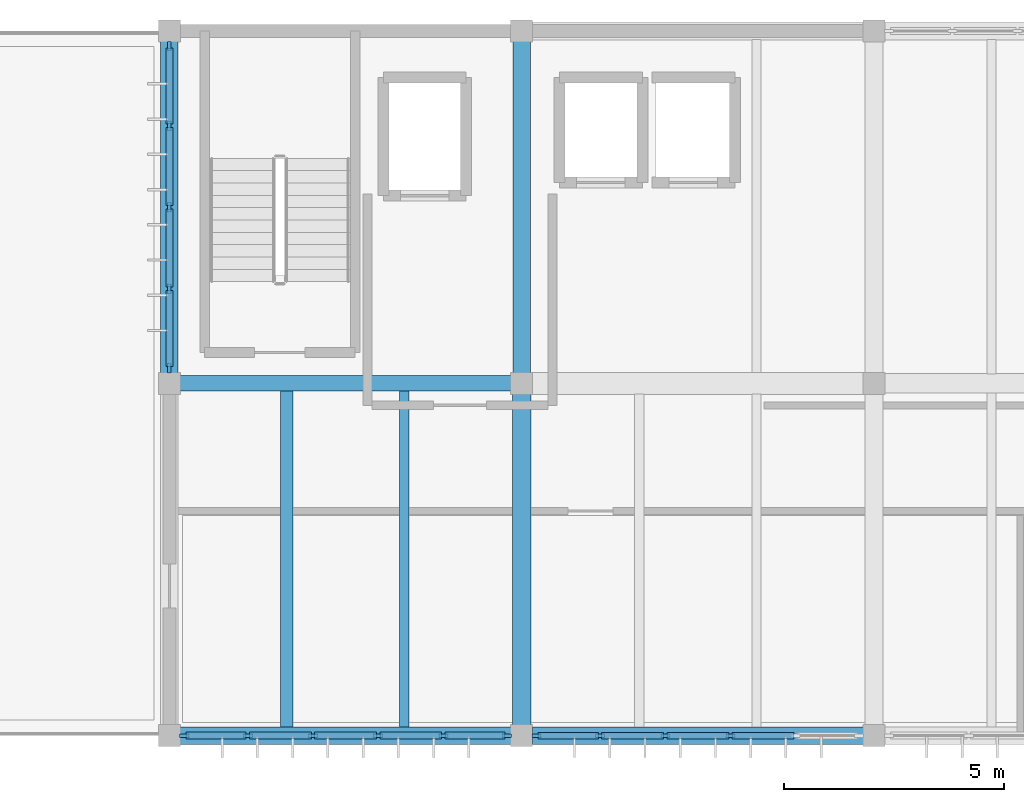
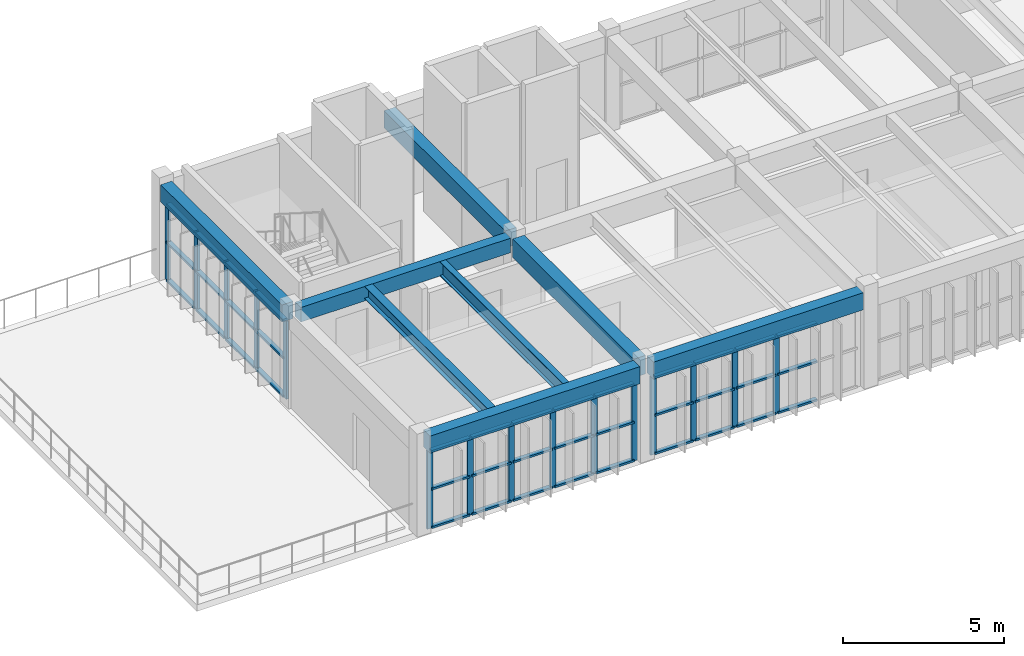
# One storey, part 2 of 12: 54 members, 8 beams, 3 elements without a shape of their own.
"""IFC4 building model written with IfcOpenShell, lengths in metres."""

from ifc_helpers import new_model, si_unit, direction, frame, origin, origin_2d, place, context, subcontext, project, spatial, rectangle, i_section, extrude, material, material_profile, profile_set, type_object, element, aggregate, save


model = new_model("IFC4")

# Units and contexts
model_context = context("Model", 3, precision=1e-05, world=origin(), true_north=direction((0.0, 1.0)))
body_context = subcontext(model_context, "Body", "Model", "MODEL_VIEW")
ifc_project = project(units=[si_unit("LENGTHUNIT", "METRE"), si_unit("AREAUNIT", "SQUARE_METRE"), si_unit("VOLUMEUNIT", "CUBIC_METRE"), si_unit("PLANEANGLEUNIT", "RADIAN"), si_unit("MASSUNIT", "GRAM", prefix="KILO")], contexts=[model_context])

# Site, building, storey
site_placement = place(None, origin())
site = spatial("IfcSite", under=ifc_project, at=site_placement, CompositionType="ELEMENT")
building_placement = place(site_placement, origin())
building = spatial("IfcBuilding", under=site, at=building_placement, Name="Tlaxcora Railside Police Headquarters", CompositionType="ELEMENT")
storey_placement = place(building_placement, frame((0.0, 0.0, 29.699951171875)))
storey = spatial("IfcBuildingStorey", under=building, at=storey_placement, Name="L07", CompositionType="ELEMENT", Elevation=29.699951171875)

# Curtain wall, members
ifc_material_1 = material(Name="Thermally broken low-E insulated glazing", Category="glass")
curtain_wall_type_1 = type_object("IfcCurtainWallType", Name="Unitised Curtain Wall Assembly CW-38", PredefinedType="NOTDEFINED", material=ifc_material_1)
curtain_wall_1_placement = place(storey_placement, origin())
curtain_wall_1 = element("IfcCurtainWall", 1, at=curtain_wall_1_placement, inside=storey, type_object=curtain_wall_type_1, Name="V5 L07 curtain wall 133", PredefinedType="NOTDEFINED")
ifc_material_2 = material(Name="Anodised aluminium framing", Category="aluminium")
ifc_material_profile_1 = material_profile(ifc_material_2, rectangle(XDim=0.074951171875, YDim=0.205078125, at=origin_2d()), Name="AL75X205")
ifc_profile_set_1 = profile_set([ifc_material_profile_1], Name="Anodised aluminium framing")
member_type_1 = type_object("IfcMemberType", Name="Curtain Wall Mullion CW-32", PredefinedType="MULLION", material=ifc_profile_set_1)
member_1_placement = place(storey_placement, frame((21.53759765625, 76.800048828125, 0.0), z_axis=(0.0, 0.0, 1.0), x_axis=(0.0, 1.0, 0.0)))
member_1 = element("IfcMember", 2, at=member_1_placement, type_object=member_type_1, Name="CW mullion 1", PredefinedType="MULLION", context=body_context, shape_type="SweptSolid", body=[
    extrude(rectangle(XDim=0.074951171875, YDim=0.205078125, at=origin_2d()), origin(), (0.0, 0.0, 1.0), 2.9599609375),
])
member_2_placement = place(storey_placement, frame((22.97998046875, 76.800048828125, 0.0), z_axis=(0.0, 0.0, 1.0), x_axis=(0.0, 1.0, 0.0)))
member_2 = element("IfcMember", 3, at=member_2_placement, type_object=member_type_1, Name="CW mullion 2", PredefinedType="MULLION", context=body_context, shape_type="SweptSolid", body=[
    extrude(rectangle(XDim=0.074951171875, YDim=0.205078125, at=origin_2d()), origin(), (0.0, 0.0, 1.0), 2.9599609375),
])
member_3_placement = place(storey_placement, frame((24.4599609375, 76.800048828125, 0.0), z_axis=(0.0, 0.0, 1.0), x_axis=(0.0, 1.0, 0.0)))
member_3 = element("IfcMember", 4, at=member_3_placement, type_object=member_type_1, Name="CW mullion 3", PredefinedType="MULLION", context=body_context, shape_type="SweptSolid", body=[
    extrude(rectangle(XDim=0.074951171875, YDim=0.205078125, at=origin_2d()), origin(), (0.0, 0.0, 1.0), 2.9599609375),
])
member_4_placement = place(storey_placement, frame((25.93994140625, 76.800048828125, 0.0), z_axis=(0.0, 0.0, 1.0), x_axis=(0.0, 1.0, 0.0)))
member_4 = element("IfcMember", 5, at=member_4_placement, type_object=member_type_1, Name="CW mullion 4", PredefinedType="MULLION", context=body_context, shape_type="SweptSolid", body=[
    extrude(rectangle(XDim=0.074951171875, YDim=0.205078125, at=origin_2d()), origin(), (0.0, 0.0, 1.0), 2.9599609375),
])
member_5_placement = place(storey_placement, frame((27.419921875, 76.800048828125, 0.0), z_axis=(0.0, 0.0, 1.0), x_axis=(0.0, 1.0, 0.0)))
member_5 = element("IfcMember", 6, at=member_5_placement, type_object=member_type_1, Name="CW mullion 5", PredefinedType="MULLION", context=body_context, shape_type="SweptSolid", body=[
    extrude(rectangle(XDim=0.074951171875, YDim=0.205078125, at=origin_2d()), origin(), (0.0, 0.0, 1.0), 2.9599609375),
])
member_6_placement = place(storey_placement, frame((28.862548828125, 76.800048828125, 0.0), z_axis=(0.0, 0.0, 1.0), x_axis=(0.0, 1.0, 0.0)))
member_6 = element("IfcMember", 7, at=member_6_placement, type_object=member_type_1, Name="CW mullion 6", PredefinedType="MULLION", context=body_context, shape_type="SweptSolid", body=[
    extrude(rectangle(XDim=0.074951171875, YDim=0.205078125, at=origin_2d()), origin(), (0.0, 0.0, 1.0), 2.9599609375),
])

curtain_wall_type_2 = type_object("IfcCurtainWallType", Name="Unitised Curtain Wall Assembly CW-15", PredefinedType="NOTDEFINED", material=ifc_material_1)
curtain_wall_2_placement = place(storey_placement, origin())
curtain_wall_2 = element("IfcCurtainWall", 8, at=curtain_wall_2_placement, inside=storey, type_object=curtain_wall_type_2, Name="V5 L07 curtain wall 134", PredefinedType="NOTDEFINED")
ifc_material_profile_2 = material_profile(ifc_material_2, rectangle(XDim=0.074951171875, YDim=0.199951171875, at=origin_2d()), Name="AL75X200")
ifc_profile_set_2 = profile_set([ifc_material_profile_2], Name="Anodised aluminium framing")
member_type_2 = type_object("IfcMemberType", Name="Curtain Wall Mullion CW-58", PredefinedType="MULLION", material=ifc_profile_set_2)
member_7_placement = place(storey_placement, frame((29.53759765625, 76.800048828125, 0.0), z_axis=(0.0, 0.0, 1.0), x_axis=(0.0, 1.0, 0.0)))
member_7 = element("IfcMember", 9, at=member_7_placement, type_object=member_type_2, Name="CW mullion 1", PredefinedType="MULLION", context=body_context, shape_type="SweptSolid", body=[
    extrude(rectangle(XDim=0.074951171875, YDim=0.199951171875, at=origin_2d()), origin(), (0.0, 0.0, 1.0), 2.9599609375),
])
member_8_placement = place(storey_placement, frame((30.97998046875, 76.800048828125, 0.0), z_axis=(0.0, 0.0, 1.0), x_axis=(0.0, 1.0, 0.0)))
member_8 = element("IfcMember", 10, at=member_8_placement, type_object=member_type_2, Name="CW mullion 2", PredefinedType="MULLION", context=body_context, shape_type="SweptSolid", body=[
    extrude(rectangle(XDim=0.074951171875, YDim=0.199951171875, at=origin_2d()), origin(), (0.0, 0.0, 1.0), 2.9599609375),
])
member_9_placement = place(storey_placement, frame((32.4599609375, 76.800048828125, 0.0), z_axis=(0.0, 0.0, 1.0), x_axis=(0.0, 1.0, 0.0)))
member_9 = element("IfcMember", 11, at=member_9_placement, type_object=member_type_2, Name="CW mullion 3", PredefinedType="MULLION", context=body_context, shape_type="SweptSolid", body=[
    extrude(rectangle(XDim=0.074951171875, YDim=0.199951171875, at=origin_2d()), origin(), (0.0, 0.0, 1.0), 2.9599609375),
])
member_10_placement = place(storey_placement, frame((33.93994140625, 76.800048828125, 0.0), z_axis=(0.0, 0.0, 1.0), x_axis=(0.0, 1.0, 0.0)))
member_10 = element("IfcMember", 12, at=member_10_placement, type_object=member_type_2, Name="CW mullion 4", PredefinedType="MULLION", context=body_context, shape_type="SweptSolid", body=[
    extrude(rectangle(XDim=0.074951171875, YDim=0.199951171875, at=origin_2d()), origin(), (0.0, 0.0, 1.0), 2.9599609375),
])

curtain_wall_type_3 = type_object("IfcCurtainWallType", Name="Unitised Curtain Wall Assembly CW-83", PredefinedType="NOTDEFINED", material=ifc_material_1)
curtain_wall_3_placement = place(storey_placement, origin())
curtain_wall_3 = element("IfcCurtainWall", 13, at=curtain_wall_3_placement, inside=storey, type_object=curtain_wall_type_3, Name="V5 L07 curtain wall 143", PredefinedType="NOTDEFINED")
ifc_material_profile_3 = material_profile(ifc_material_2, rectangle(XDim=0.080078125, YDim=0.2099609375, at=origin_2d()), Name="AL80X210")
ifc_profile_set_3 = profile_set([ifc_material_profile_3], Name="Anodised aluminium framing")
member_type_3 = type_object("IfcMemberType", Name="Curtain Wall Mullion CW-76", PredefinedType="MULLION", material=ifc_profile_set_3)
member_11_placement = place(storey_placement, frame((21.199951171875, 92.4599609375, 0.0), z_axis=(0.0, 0.0, 1.0), x_axis=(1.0, 0.0, 0.0)))
member_11 = element("IfcMember", 14, at=member_11_placement, type_object=member_type_3, Name="CW mullion 1", PredefinedType="MULLION", context=body_context, shape_type="SweptSolid", body=[
    extrude(rectangle(XDim=0.080078125, YDim=0.2099609375, at=origin_2d()), origin(), (0.0, 0.0, 1.0), 2.9599609375),
])
member_12_placement = place(storey_placement, frame((21.199951171875, 90.64990234375, 0.0), z_axis=(0.0, 0.0, 1.0), x_axis=(1.0, 0.0, 0.0)))
member_12 = element("IfcMember", 15, at=member_12_placement, type_object=member_type_3, Name="CW mullion 2", PredefinedType="MULLION", context=body_context, shape_type="SweptSolid", body=[
    extrude(rectangle(XDim=0.080078125, YDim=0.2099609375, at=origin_2d()), origin(), (0.0, 0.0, 1.0), 2.9599609375),
])
member_13_placement = place(storey_placement, frame((21.199951171875, 88.800048828125, 0.0), z_axis=(0.0, 0.0, 1.0), x_axis=(1.0, 0.0, 0.0)))
member_13 = element("IfcMember", 16, at=member_13_placement, type_object=member_type_3, Name="CW mullion 3", PredefinedType="MULLION", context=body_context, shape_type="SweptSolid", body=[
    extrude(rectangle(XDim=0.080078125, YDim=0.2099609375, at=origin_2d()), origin(), (0.0, 0.0, 1.0), 2.9599609375),
])
member_14_placement = place(storey_placement, frame((21.199951171875, 86.949951171875, 0.0), z_axis=(0.0, 0.0, 1.0), x_axis=(1.0, 0.0, 0.0)))
member_14 = element("IfcMember", 17, at=member_14_placement, type_object=member_type_3, Name="CW mullion 4", PredefinedType="MULLION", context=body_context, shape_type="SweptSolid", body=[
    extrude(rectangle(XDim=0.080078125, YDim=0.2099609375, at=origin_2d()), origin(), (0.0, 0.0, 1.0), 2.9599609375),
])
member_15_placement = place(storey_placement, frame((21.199951171875, 85.139892578125, 0.0), z_axis=(0.0, 0.0, 1.0), x_axis=(1.0, 0.0, 0.0)))
member_15 = element("IfcMember", 18, at=member_15_placement, type_object=member_type_3, Name="CW mullion 5", PredefinedType="MULLION", context=body_context, shape_type="SweptSolid", body=[
    extrude(rectangle(XDim=0.080078125, YDim=0.2099609375, at=origin_2d()), origin(), (0.0, 0.0, 1.0), 2.9599609375),
])

# Member
ifc_material_profile_4 = material_profile(ifc_material_2, rectangle(XDim=0.14990234375, YDim=0.074951171875, at=origin_2d()), Name="AL75X150")
ifc_profile_set_4 = profile_set([ifc_material_profile_4], Name="Anodised aluminium framing")
member_type_4 = type_object("IfcMemberType", Name="Curtain Wall Transom CW-28", PredefinedType="USERDEFINED", material=ifc_profile_set_4)
member_16_placement = place(storey_placement, frame((29.574951171875, 76.800048828125, 0.03759765625), z_axis=(1.0, 0.0, 0.0), x_axis=(0.0, 1.0, 0.0)))
member_16 = element("IfcMember", 19, at=member_16_placement, type_object=member_type_4, Name="CW transom 1.1", ObjectType="TRANSOM", PredefinedType="USERDEFINED", context=body_context, shape_type="SweptSolid", body=[
    extrude(rectangle(XDim=0.14990234375, YDim=0.074951171875, at=origin_2d()), origin(), (0.0, 0.0, 1.0), 1.367431640625),
])

member_17_placement = place(storey_placement, frame((29.574951171875, 76.800048828125, 1.489990234375), z_axis=(1.0, 0.0, 0.0), x_axis=(0.0, 1.0, 0.0)))
member_17 = element("IfcMember", 20, at=member_17_placement, type_object=member_type_4, Name="CW transom 1.2", ObjectType="TRANSOM", PredefinedType="USERDEFINED", context=body_context, shape_type="SweptSolid", body=[
    extrude(rectangle(XDim=0.14990234375, YDim=0.074951171875, at=origin_2d()), origin(), (0.0, 0.0, 1.0), 1.367431640625),
])

member_18_placement = place(storey_placement, frame((29.574951171875, 76.800048828125, 2.922607421875), z_axis=(1.0, 0.0, 0.0), x_axis=(0.0, 1.0, 0.0)))
member_18 = element("IfcMember", 21, at=member_18_placement, type_object=member_type_4, Name="CW transom 1.3", ObjectType="TRANSOM", PredefinedType="USERDEFINED", context=body_context, shape_type="SweptSolid", body=[
    extrude(rectangle(XDim=0.14990234375, YDim=0.074951171875, at=origin_2d()), origin(), (0.0, 0.0, 1.0), 1.367431640625),
])

member_19_placement = place(storey_placement, frame((31.017578125, 76.800048828125, 0.03759765625), z_axis=(1.0, 0.0, 0.0), x_axis=(0.0, 1.0, 0.0)))
member_19 = element("IfcMember", 22, at=member_19_placement, type_object=member_type_4, Name="CW transom 2.1", ObjectType="TRANSOM", PredefinedType="USERDEFINED", context=body_context, shape_type="SweptSolid", body=[
    extrude(rectangle(XDim=0.14990234375, YDim=0.074951171875, at=origin_2d()), origin(), (0.0, 0.0, 1.0), 1.405029296875),
])

member_20_placement = place(storey_placement, frame((31.017578125, 76.800048828125, 1.489990234375), z_axis=(1.0, 0.0, 0.0), x_axis=(0.0, 1.0, 0.0)))
member_20 = element("IfcMember", 23, at=member_20_placement, type_object=member_type_4, Name="CW transom 2.2", ObjectType="TRANSOM", PredefinedType="USERDEFINED", context=body_context, shape_type="SweptSolid", body=[
    extrude(rectangle(XDim=0.14990234375, YDim=0.074951171875, at=origin_2d()), origin(), (0.0, 0.0, 1.0), 1.405029296875),
])

member_21_placement = place(storey_placement, frame((31.017578125, 76.800048828125, 2.922607421875), z_axis=(1.0, 0.0, 0.0), x_axis=(0.0, 1.0, 0.0)))
member_21 = element("IfcMember", 24, at=member_21_placement, type_object=member_type_4, Name="CW transom 2.3", ObjectType="TRANSOM", PredefinedType="USERDEFINED", context=body_context, shape_type="SweptSolid", body=[
    extrude(rectangle(XDim=0.14990234375, YDim=0.074951171875, at=origin_2d()), origin(), (0.0, 0.0, 1.0), 1.405029296875),
])

member_22_placement = place(storey_placement, frame((32.49755859375, 76.800048828125, 0.03759765625), z_axis=(1.0, 0.0, 0.0), x_axis=(0.0, 1.0, 0.0)))
member_22 = element("IfcMember", 25, at=member_22_placement, type_object=member_type_4, Name="CW transom 3.1", ObjectType="TRANSOM", PredefinedType="USERDEFINED", context=body_context, shape_type="SweptSolid", body=[
    extrude(rectangle(XDim=0.14990234375, YDim=0.074951171875, at=origin_2d()), origin(), (0.0, 0.0, 1.0), 1.405029296875),
])

member_23_placement = place(storey_placement, frame((32.49755859375, 76.800048828125, 1.489990234375), z_axis=(1.0, 0.0, 0.0), x_axis=(0.0, 1.0, 0.0)))
member_23 = element("IfcMember", 26, at=member_23_placement, type_object=member_type_4, Name="CW transom 3.2", ObjectType="TRANSOM", PredefinedType="USERDEFINED", context=body_context, shape_type="SweptSolid", body=[
    extrude(rectangle(XDim=0.14990234375, YDim=0.074951171875, at=origin_2d()), origin(), (0.0, 0.0, 1.0), 1.405029296875),
])

member_24_placement = place(storey_placement, frame((32.49755859375, 76.800048828125, 2.922607421875), z_axis=(1.0, 0.0, 0.0), x_axis=(0.0, 1.0, 0.0)))
member_24 = element("IfcMember", 27, at=member_24_placement, type_object=member_type_4, Name="CW transom 3.3", ObjectType="TRANSOM", PredefinedType="USERDEFINED", context=body_context, shape_type="SweptSolid", body=[
    extrude(rectangle(XDim=0.14990234375, YDim=0.074951171875, at=origin_2d()), origin(), (0.0, 0.0, 1.0), 1.405029296875),
])

member_25_placement = place(storey_placement, frame((33.9775390625, 76.800048828125, 0.03759765625), z_axis=(1.0, 0.0, 0.0), x_axis=(0.0, 1.0, 0.0)))
member_25 = element("IfcMember", 28, at=member_25_placement, type_object=member_type_4, Name="CW transom 4.1", ObjectType="TRANSOM", PredefinedType="USERDEFINED", context=body_context, shape_type="SweptSolid", body=[
    extrude(rectangle(XDim=0.14990234375, YDim=0.074951171875, at=origin_2d()), origin(), (0.0, 0.0, 1.0), 1.405029296875),
])

member_26_placement = place(storey_placement, frame((33.9775390625, 76.800048828125, 1.489990234375), z_axis=(1.0, 0.0, 0.0), x_axis=(0.0, 1.0, 0.0)))
member_26 = element("IfcMember", 29, at=member_26_placement, type_object=member_type_4, Name="CW transom 4.2", ObjectType="TRANSOM", PredefinedType="USERDEFINED", context=body_context, shape_type="SweptSolid", body=[
    extrude(rectangle(XDim=0.14990234375, YDim=0.074951171875, at=origin_2d()), origin(), (0.0, 0.0, 1.0), 1.405029296875),
])

member_27_placement = place(storey_placement, frame((33.9775390625, 76.800048828125, 2.922607421875), z_axis=(1.0, 0.0, 0.0), x_axis=(0.0, 1.0, 0.0)))
member_27 = element("IfcMember", 30, at=member_27_placement, type_object=member_type_4, Name="CW transom 4.3", ObjectType="TRANSOM", PredefinedType="USERDEFINED", context=body_context, shape_type="SweptSolid", body=[
    extrude(rectangle(XDim=0.14990234375, YDim=0.074951171875, at=origin_2d()), origin(), (0.0, 0.0, 1.0), 1.405029296875),
])

aggregate(curtain_wall_2, [member_7, member_8, member_9, member_10, member_16, member_17, member_18, member_19, member_20, member_21, member_22, member_23, member_24, member_25, member_26, member_27])

ifc_material_profile_5 = material_profile(ifc_material_2, rectangle(XDim=0.155029296875, YDim=0.074951171875, at=origin_2d()), Name="AL75X155")
ifc_profile_set_5 = profile_set([ifc_material_profile_5], Name="Anodised aluminium framing")
member_type_5 = type_object("IfcMemberType", Name="Curtain Wall Transom CW-30", PredefinedType="USERDEFINED", material=ifc_profile_set_5)
member_28_placement = place(storey_placement, frame((21.574951171875, 76.800048828125, 0.03759765625), z_axis=(1.0, 0.0, 0.0), x_axis=(0.0, 1.0, 0.0)))
member_28 = element("IfcMember", 31, at=member_28_placement, type_object=member_type_5, Name="CW transom 1.1", ObjectType="TRANSOM", PredefinedType="USERDEFINED", context=body_context, shape_type="SweptSolid", body=[
    extrude(rectangle(XDim=0.155029296875, YDim=0.074951171875, at=origin_2d()), origin(), (0.0, 0.0, 1.0), 1.367431640625),
])

member_29_placement = place(storey_placement, frame((21.574951171875, 76.800048828125, 1.489990234375), z_axis=(1.0, 0.0, 0.0), x_axis=(0.0, 1.0, 0.0)))
member_29 = element("IfcMember", 32, at=member_29_placement, type_object=member_type_5, Name="CW transom 1.2", ObjectType="TRANSOM", PredefinedType="USERDEFINED", context=body_context, shape_type="SweptSolid", body=[
    extrude(rectangle(XDim=0.155029296875, YDim=0.074951171875, at=origin_2d()), origin(), (0.0, 0.0, 1.0), 1.367431640625),
])

member_30_placement = place(storey_placement, frame((21.574951171875, 76.800048828125, 2.922607421875), z_axis=(1.0, 0.0, 0.0), x_axis=(0.0, 1.0, 0.0)))
member_30 = element("IfcMember", 33, at=member_30_placement, type_object=member_type_5, Name="CW transom 1.3", ObjectType="TRANSOM", PredefinedType="USERDEFINED", context=body_context, shape_type="SweptSolid", body=[
    extrude(rectangle(XDim=0.155029296875, YDim=0.074951171875, at=origin_2d()), origin(), (0.0, 0.0, 1.0), 1.367431640625),
])

member_31_placement = place(storey_placement, frame((23.017578125, 76.800048828125, 0.03759765625), z_axis=(1.0, 0.0, 0.0), x_axis=(0.0, 1.0, 0.0)))
member_31 = element("IfcMember", 34, at=member_31_placement, type_object=member_type_5, Name="CW transom 2.1", ObjectType="TRANSOM", PredefinedType="USERDEFINED", context=body_context, shape_type="SweptSolid", body=[
    extrude(rectangle(XDim=0.155029296875, YDim=0.074951171875, at=origin_2d()), origin(), (0.0, 0.0, 1.0), 1.405029296875),
])

member_32_placement = place(storey_placement, frame((23.017578125, 76.800048828125, 1.489990234375), z_axis=(1.0, 0.0, 0.0), x_axis=(0.0, 1.0, 0.0)))
member_32 = element("IfcMember", 35, at=member_32_placement, type_object=member_type_5, Name="CW transom 2.2", ObjectType="TRANSOM", PredefinedType="USERDEFINED", context=body_context, shape_type="SweptSolid", body=[
    extrude(rectangle(XDim=0.155029296875, YDim=0.074951171875, at=origin_2d()), origin(), (0.0, 0.0, 1.0), 1.405029296875),
])

member_33_placement = place(storey_placement, frame((23.017578125, 76.800048828125, 2.922607421875), z_axis=(1.0, 0.0, 0.0), x_axis=(0.0, 1.0, 0.0)))
member_33 = element("IfcMember", 36, at=member_33_placement, type_object=member_type_5, Name="CW transom 2.3", ObjectType="TRANSOM", PredefinedType="USERDEFINED", context=body_context, shape_type="SweptSolid", body=[
    extrude(rectangle(XDim=0.155029296875, YDim=0.074951171875, at=origin_2d()), origin(), (0.0, 0.0, 1.0), 1.405029296875),
])

member_34_placement = place(storey_placement, frame((24.49755859375, 76.800048828125, 0.03759765625), z_axis=(1.0, 0.0, 0.0), x_axis=(0.0, 1.0, 0.0)))
member_34 = element("IfcMember", 37, at=member_34_placement, type_object=member_type_5, Name="CW transom 3.1", ObjectType="TRANSOM", PredefinedType="USERDEFINED", context=body_context, shape_type="SweptSolid", body=[
    extrude(rectangle(XDim=0.155029296875, YDim=0.074951171875, at=origin_2d()), origin(), (0.0, 0.0, 1.0), 1.405029296875),
])

member_35_placement = place(storey_placement, frame((24.49755859375, 76.800048828125, 1.489990234375), z_axis=(1.0, 0.0, 0.0), x_axis=(0.0, 1.0, 0.0)))
member_35 = element("IfcMember", 38, at=member_35_placement, type_object=member_type_5, Name="CW transom 3.2", ObjectType="TRANSOM", PredefinedType="USERDEFINED", context=body_context, shape_type="SweptSolid", body=[
    extrude(rectangle(XDim=0.155029296875, YDim=0.074951171875, at=origin_2d()), origin(), (0.0, 0.0, 1.0), 1.405029296875),
])

member_36_placement = place(storey_placement, frame((24.49755859375, 76.800048828125, 2.922607421875), z_axis=(1.0, 0.0, 0.0), x_axis=(0.0, 1.0, 0.0)))
member_36 = element("IfcMember", 39, at=member_36_placement, type_object=member_type_5, Name="CW transom 3.3", ObjectType="TRANSOM", PredefinedType="USERDEFINED", context=body_context, shape_type="SweptSolid", body=[
    extrude(rectangle(XDim=0.155029296875, YDim=0.074951171875, at=origin_2d()), origin(), (0.0, 0.0, 1.0), 1.405029296875),
])

member_37_placement = place(storey_placement, frame((25.9775390625, 76.800048828125, 0.03759765625), z_axis=(1.0, 0.0, 0.0), x_axis=(0.0, 1.0, 0.0)))
member_37 = element("IfcMember", 40, at=member_37_placement, type_object=member_type_5, Name="CW transom 4.1", ObjectType="TRANSOM", PredefinedType="USERDEFINED", context=body_context, shape_type="SweptSolid", body=[
    extrude(rectangle(XDim=0.155029296875, YDim=0.074951171875, at=origin_2d()), origin(), (0.0, 0.0, 1.0), 1.405029296875),
])

member_38_placement = place(storey_placement, frame((25.9775390625, 76.800048828125, 1.489990234375), z_axis=(1.0, 0.0, 0.0), x_axis=(0.0, 1.0, 0.0)))
member_38 = element("IfcMember", 41, at=member_38_placement, type_object=member_type_5, Name="CW transom 4.2", ObjectType="TRANSOM", PredefinedType="USERDEFINED", context=body_context, shape_type="SweptSolid", body=[
    extrude(rectangle(XDim=0.155029296875, YDim=0.074951171875, at=origin_2d()), origin(), (0.0, 0.0, 1.0), 1.405029296875),
])

member_39_placement = place(storey_placement, frame((25.9775390625, 76.800048828125, 2.922607421875), z_axis=(1.0, 0.0, 0.0), x_axis=(0.0, 1.0, 0.0)))
member_39 = element("IfcMember", 42, at=member_39_placement, type_object=member_type_5, Name="CW transom 4.3", ObjectType="TRANSOM", PredefinedType="USERDEFINED", context=body_context, shape_type="SweptSolid", body=[
    extrude(rectangle(XDim=0.155029296875, YDim=0.074951171875, at=origin_2d()), origin(), (0.0, 0.0, 1.0), 1.405029296875),
])

member_40_placement = place(storey_placement, frame((27.45751953125, 76.800048828125, 0.03759765625), z_axis=(1.0, 0.0, 0.0), x_axis=(0.0, 1.0, 0.0)))
member_40 = element("IfcMember", 43, at=member_40_placement, type_object=member_type_5, Name="CW transom 5.1", ObjectType="TRANSOM", PredefinedType="USERDEFINED", context=body_context, shape_type="SweptSolid", body=[
    extrude(rectangle(XDim=0.155029296875, YDim=0.074951171875, at=origin_2d()), origin(), (0.0, 0.0, 1.0), 1.367431640625),
])

member_41_placement = place(storey_placement, frame((27.45751953125, 76.800048828125, 1.489990234375), z_axis=(1.0, 0.0, 0.0), x_axis=(0.0, 1.0, 0.0)))
member_41 = element("IfcMember", 44, at=member_41_placement, type_object=member_type_5, Name="CW transom 5.2", ObjectType="TRANSOM", PredefinedType="USERDEFINED", context=body_context, shape_type="SweptSolid", body=[
    extrude(rectangle(XDim=0.155029296875, YDim=0.074951171875, at=origin_2d()), origin(), (0.0, 0.0, 1.0), 1.367431640625),
])

member_42_placement = place(storey_placement, frame((27.45751953125, 76.800048828125, 2.922607421875), z_axis=(1.0, 0.0, 0.0), x_axis=(0.0, 1.0, 0.0)))
member_42 = element("IfcMember", 45, at=member_42_placement, type_object=member_type_5, Name="CW transom 5.3", ObjectType="TRANSOM", PredefinedType="USERDEFINED", context=body_context, shape_type="SweptSolid", body=[
    extrude(rectangle(XDim=0.155029296875, YDim=0.074951171875, at=origin_2d()), origin(), (0.0, 0.0, 1.0), 1.367431640625),
])

aggregate(curtain_wall_1, [member_1, member_2, member_3, member_4, member_5, member_6, member_28, member_29, member_30, member_31, member_32, member_33, member_34, member_35, member_36, member_37, member_38, member_39, member_40, member_41, member_42])

ifc_material_profile_6 = material_profile(ifc_material_2, rectangle(XDim=0.159912109375, YDim=0.080078125, at=origin_2d()), Name="AL80X160")
ifc_profile_set_6 = profile_set([ifc_material_profile_6], Name="Anodised aluminium framing")
member_type_6 = type_object("IfcMemberType", Name="Curtain Wall Transom CW-82", PredefinedType="USERDEFINED", material=ifc_profile_set_6)
member_43_placement = place(storey_placement, frame((21.199951171875, 92.419921875, 0.0400390625), z_axis=(0.0, -1.0, 0.0), x_axis=(1.0, 0.0, 0.0)))
member_43 = element("IfcMember", 46, at=member_43_placement, type_object=member_type_6, Name="CW transom 1.1", ObjectType="TRANSOM", PredefinedType="USERDEFINED", context=body_context, shape_type="SweptSolid", body=[
    extrude(rectangle(XDim=0.159912109375, YDim=0.080078125, at=origin_2d()), origin(), (0.0, 0.0, 1.0), 1.72998046875),
])

member_44_placement = place(storey_placement, frame((21.199951171875, 92.419921875, 1.489990234375), z_axis=(0.0, -1.0, 0.0), x_axis=(1.0, 0.0, 0.0)))
member_44 = element("IfcMember", 47, at=member_44_placement, type_object=member_type_6, Name="CW transom 1.2", ObjectType="TRANSOM", PredefinedType="USERDEFINED", context=body_context, shape_type="SweptSolid", body=[
    extrude(rectangle(XDim=0.159912109375, YDim=0.080078125, at=origin_2d()), origin(), (0.0, 0.0, 1.0), 1.72998046875),
])

member_45_placement = place(storey_placement, frame((21.199951171875, 92.419921875, 2.920166015625), z_axis=(0.0, -1.0, 0.0), x_axis=(1.0, 0.0, 0.0)))
member_45 = element("IfcMember", 48, at=member_45_placement, type_object=member_type_6, Name="CW transom 1.3", ObjectType="TRANSOM", PredefinedType="USERDEFINED", context=body_context, shape_type="SweptSolid", body=[
    extrude(rectangle(XDim=0.159912109375, YDim=0.080078125, at=origin_2d()), origin(), (0.0, 0.0, 1.0), 1.72998046875),
])

member_46_placement = place(storey_placement, frame((21.199951171875, 90.610107421875, 0.0400390625), z_axis=(0.0, -1.0, 0.0), x_axis=(1.0, 0.0, 0.0)))
member_46 = element("IfcMember", 49, at=member_46_placement, type_object=member_type_6, Name="CW transom 2.1", ObjectType="TRANSOM", PredefinedType="USERDEFINED", context=body_context, shape_type="SweptSolid", body=[
    extrude(rectangle(XDim=0.159912109375, YDim=0.080078125, at=origin_2d()), origin(), (0.0, 0.0, 1.0), 1.77001953125),
])

member_47_placement = place(storey_placement, frame((21.199951171875, 90.610107421875, 1.489990234375), z_axis=(0.0, -1.0, 0.0), x_axis=(1.0, 0.0, 0.0)))
member_47 = element("IfcMember", 50, at=member_47_placement, type_object=member_type_6, Name="CW transom 2.2", ObjectType="TRANSOM", PredefinedType="USERDEFINED", context=body_context, shape_type="SweptSolid", body=[
    extrude(rectangle(XDim=0.159912109375, YDim=0.080078125, at=origin_2d()), origin(), (0.0, 0.0, 1.0), 1.77001953125),
])

member_48_placement = place(storey_placement, frame((21.199951171875, 90.610107421875, 2.920166015625), z_axis=(0.0, -1.0, 0.0), x_axis=(1.0, 0.0, 0.0)))
member_48 = element("IfcMember", 51, at=member_48_placement, type_object=member_type_6, Name="CW transom 2.3", ObjectType="TRANSOM", PredefinedType="USERDEFINED", context=body_context, shape_type="SweptSolid", body=[
    extrude(rectangle(XDim=0.159912109375, YDim=0.080078125, at=origin_2d()), origin(), (0.0, 0.0, 1.0), 1.77001953125),
])

member_49_placement = place(storey_placement, frame((21.199951171875, 88.760009765625, 0.0400390625), z_axis=(0.0, -1.0, 0.0), x_axis=(1.0, 0.0, 0.0)))
member_49 = element("IfcMember", 52, at=member_49_placement, type_object=member_type_6, Name="CW transom 3.1", ObjectType="TRANSOM", PredefinedType="USERDEFINED", context=body_context, shape_type="SweptSolid", body=[
    extrude(rectangle(XDim=0.159912109375, YDim=0.080078125, at=origin_2d()), origin(), (0.0, 0.0, 1.0), 1.77001953125),
])

member_50_placement = place(storey_placement, frame((21.199951171875, 88.760009765625, 1.489990234375), z_axis=(0.0, -1.0, 0.0), x_axis=(1.0, 0.0, 0.0)))
member_50 = element("IfcMember", 53, at=member_50_placement, type_object=member_type_6, Name="CW transom 3.2", ObjectType="TRANSOM", PredefinedType="USERDEFINED", context=body_context, shape_type="SweptSolid", body=[
    extrude(rectangle(XDim=0.159912109375, YDim=0.080078125, at=origin_2d()), origin(), (0.0, 0.0, 1.0), 1.77001953125),
])

member_51_placement = place(storey_placement, frame((21.199951171875, 88.760009765625, 2.920166015625), z_axis=(0.0, -1.0, 0.0), x_axis=(1.0, 0.0, 0.0)))
member_51 = element("IfcMember", 54, at=member_51_placement, type_object=member_type_6, Name="CW transom 3.3", ObjectType="TRANSOM", PredefinedType="USERDEFINED", context=body_context, shape_type="SweptSolid", body=[
    extrude(rectangle(XDim=0.159912109375, YDim=0.080078125, at=origin_2d()), origin(), (0.0, 0.0, 1.0), 1.77001953125),
])

member_52_placement = place(storey_placement, frame((21.199951171875, 86.909912109375, 0.0400390625), z_axis=(0.0, -1.0, 0.0), x_axis=(1.0, 0.0, 0.0)))
member_52 = element("IfcMember", 55, at=member_52_placement, type_object=member_type_6, Name="CW transom 4.1", ObjectType="TRANSOM", PredefinedType="USERDEFINED", context=body_context, shape_type="SweptSolid", body=[
    extrude(rectangle(XDim=0.159912109375, YDim=0.080078125, at=origin_2d()), origin(), (0.0, 0.0, 1.0), 1.72998046875),
])

member_53_placement = place(storey_placement, frame((21.199951171875, 86.909912109375, 1.489990234375), z_axis=(0.0, -1.0, 0.0), x_axis=(1.0, 0.0, 0.0)))
member_53 = element("IfcMember", 56, at=member_53_placement, type_object=member_type_6, Name="CW transom 4.2", ObjectType="TRANSOM", PredefinedType="USERDEFINED", context=body_context, shape_type="SweptSolid", body=[
    extrude(rectangle(XDim=0.159912109375, YDim=0.080078125, at=origin_2d()), origin(), (0.0, 0.0, 1.0), 1.72998046875),
])

member_54_placement = place(storey_placement, frame((21.199951171875, 86.909912109375, 2.920166015625), z_axis=(0.0, -1.0, 0.0), x_axis=(1.0, 0.0, 0.0)))
member_54 = element("IfcMember", 57, at=member_54_placement, type_object=member_type_6, Name="CW transom 4.3", ObjectType="TRANSOM", PredefinedType="USERDEFINED", context=body_context, shape_type="SweptSolid", body=[
    extrude(rectangle(XDim=0.159912109375, YDim=0.080078125, at=origin_2d()), origin(), (0.0, 0.0, 1.0), 1.72998046875),
])

aggregate(curtain_wall_3, [member_11, member_12, member_13, member_14, member_15, member_43, member_44, member_45, member_46, member_47, member_48, member_49, member_50, member_51, member_52, member_53, member_54])

# Beams
ifc_material_3 = material(Name="Concrete C40/50", Category="concrete")
ifc_material_profile_7 = material_profile(ifc_material_3, rectangle(XDim=0.39990234375, YDim=0.64990234375, at=origin_2d()), Name="RC400X650")
ifc_profile_set_7 = profile_set([ifc_material_profile_7], Name="Concrete C40/50")
beam_type_1 = type_object("IfcBeamType", Name="Perimeter Spandrel Beam BM-46", PredefinedType="SPANDREL", material=ifc_profile_set_7)
for number, where, z_axis, x_axis, name in (
    (58, (21.43994140625, 76.800048828125, 3.304931640625), (1.0, 0.0, 0.0), (0.0, 1.0, 0.0), "V5 L07 X-girder Y=76.8"),
    (59, (29.43994140625, 76.800048828125, 3.304931640625), (1.0, 0.0, 0.0), (0.0, 1.0, 0.0), "V5 L07 X-girder Y=76.8"),
    (60, (21.199951171875, 85.0400390625, 3.304931640625), (0.0, 1.0, 0.0), (-1.0, 0.0, 0.0), "V5 L07 Y-girder X=21.2"),
):
    element("IfcBeam", number, at=place(storey_placement, frame(where, z_axis=z_axis, x_axis=x_axis)), inside=storey, type_object=beam_type_1, Name=name, PredefinedType="SPANDREL", context=body_context, shape_type="SweptSolid", body=[
        extrude(rectangle(XDim=0.39990234375, YDim=0.64990234375, at=origin_2d()), origin(), (0.0, 0.0, 1.0), 7.52001953125),
    ])
ifc_material_profile_8 = material_profile(ifc_material_3, rectangle(XDim=0.419921875, YDim=0.699951171875, at=origin_2d()), Name="RC420X700")
ifc_profile_set_8 = profile_set([ifc_material_profile_8], Name="Concrete C40/50")
beam_type_2 = type_object("IfcBeamType", Name="Primary Frame Girder BM-35", PredefinedType="BEAM", material=ifc_profile_set_8)
beam_1_placement = place(storey_placement, frame((29.199951171875, 77.0400390625, 3.280029296875), z_axis=(0.0, 1.0, 0.0), x_axis=(-1.0, 0.0, 0.0)))
element("IfcBeam", 61, at=beam_1_placement, inside=storey, type_object=beam_type_2, Name="V5 L07 Y-girder X=29.2", PredefinedType="BEAM", context=body_context, shape_type="SweptSolid", body=[
    extrude(rectangle(XDim=0.419921875, YDim=0.699951171875, at=origin_2d()), origin(), (0.0, 0.0, 1.0), 7.52001953125),
])
ifc_material_profile_9 = material_profile(ifc_material_3, rectangle(XDim=0.35009765625, YDim=0.550048828125, at=origin_2d()), Name="RC350X550")
ifc_profile_set_9 = profile_set([ifc_material_profile_9], Name="Concrete C40/50")
beam_type_3 = type_object("IfcBeamType", Name="Primary Frame Girder BM-39", PredefinedType="BEAM", material=ifc_profile_set_9)
beam_2_placement = place(storey_placement, frame((21.43994140625, 84.800048828125, 3.35498046875), z_axis=(1.0, 0.0, 0.0), x_axis=(0.0, 1.0, 0.0)))
element("IfcBeam", 62, at=beam_2_placement, inside=storey, type_object=beam_type_3, Name="V5 L07 X-girder Y=84.8", PredefinedType="BEAM", context=body_context, shape_type="SweptSolid", body=[
    extrude(rectangle(XDim=0.35009765625, YDim=0.550048828125, at=origin_2d()), origin(), (0.0, 0.0, 1.0), 7.52001953125),
])
ifc_material_profile_10 = material_profile(ifc_material_3, rectangle(XDim=0.39990234375, YDim=0.64990234375, at=origin_2d()), Name="RC400X650")
ifc_profile_set_10 = profile_set([ifc_material_profile_10], Name="Concrete C40/50")
beam_type_4 = type_object("IfcBeamType", Name="Primary Frame Girder BM-41", PredefinedType="BEAM", material=ifc_profile_set_10)
beam_3_placement = place(storey_placement, frame((29.199951171875, 85.0400390625, 3.304931640625), z_axis=(0.0, 1.0, 0.0), x_axis=(-1.0, 0.0, 0.0)))
element("IfcBeam", 63, at=beam_3_placement, inside=storey, type_object=beam_type_4, Name="V5 L07 Y-girder X=29.2", PredefinedType="BEAM", context=body_context, shape_type="SweptSolid", body=[
    extrude(rectangle(XDim=0.39990234375, YDim=0.64990234375, at=origin_2d()), origin(), (0.0, 0.0, 1.0), 7.52001953125),
])
ifc_material_4 = material(Name="Steel ASTM A992 Grade 50", Category="steel")
ifc_material_profile_11 = material_profile(ifc_material_4, i_section(OverallWidth=0.280029296875, OverallDepth=0.4619140625, WebThickness=0.0107421875, FlangeThickness=0.017333984375, at=origin_2d()), Name="W18X76")
ifc_profile_set_11 = profile_set([ifc_material_profile_11], Name="Steel ASTM A992 Grade 50")
beam_type_5 = type_object("IfcBeamType", Name="Secondary Floor Joist BM-44", PredefinedType="JOIST", material=ifc_profile_set_11)
beam_4_placement = place(storey_placement, frame((23.86669921875, 76.991943359375, 3.399169921875), z_axis=(0.0, 1.0, 0.0), x_axis=(-1.0, 0.0, 0.0)))
element("IfcBeam", 64, at=beam_4_placement, inside=storey, type_object=beam_type_5, Name="V5 L07 floor joist X=23.87", PredefinedType="JOIST", context=body_context, shape_type="SweptSolid", body=[
    extrude(i_section(OverallWidth=0.280029296875, OverallDepth=0.4619140625, WebThickness=0.0107421875, FlangeThickness=0.017333984375, at=origin_2d()), origin(), (0.0, 0.0, 1.0), 7.64111328125),
])
ifc_material_profile_12 = material_profile(ifc_material_4, i_section(OverallWidth=0.214111328125, OverallDepth=0.549072265625, WebThickness=0.0146484375, FlangeThickness=0.023681640625, at=origin_2d()), Name="W21X93")
ifc_profile_set_12 = profile_set([ifc_material_profile_12], Name="Steel ASTM A992 Grade 50")
beam_type_6 = type_object("IfcBeamType", Name="Secondary Floor Joist BM-97", PredefinedType="JOIST", material=ifc_profile_set_12)
beam_5_placement = place(storey_placement, frame((26.533203125, 76.991943359375, 3.35546875), z_axis=(0.0, 1.0, 0.0), x_axis=(-1.0, 0.0, 0.0)))
element("IfcBeam", 65, at=beam_5_placement, inside=storey, type_object=beam_type_6, Name="V5 L07 floor joist X=26.53", PredefinedType="JOIST", context=body_context, shape_type="SweptSolid", body=[
    extrude(i_section(OverallWidth=0.214111328125, OverallDepth=0.549072265625, WebThickness=0.0146484375, FlangeThickness=0.023681640625, at=origin_2d()), origin(), (0.0, 0.0, 1.0), 7.64111328125),
])

save(model, "model.ifc")
